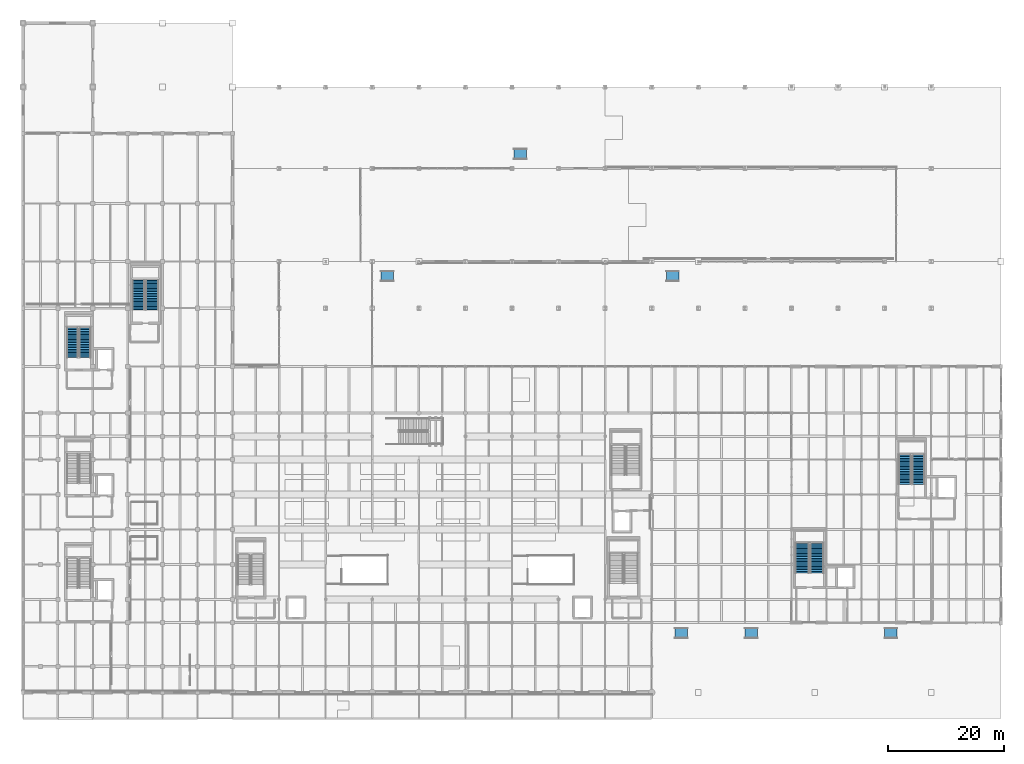
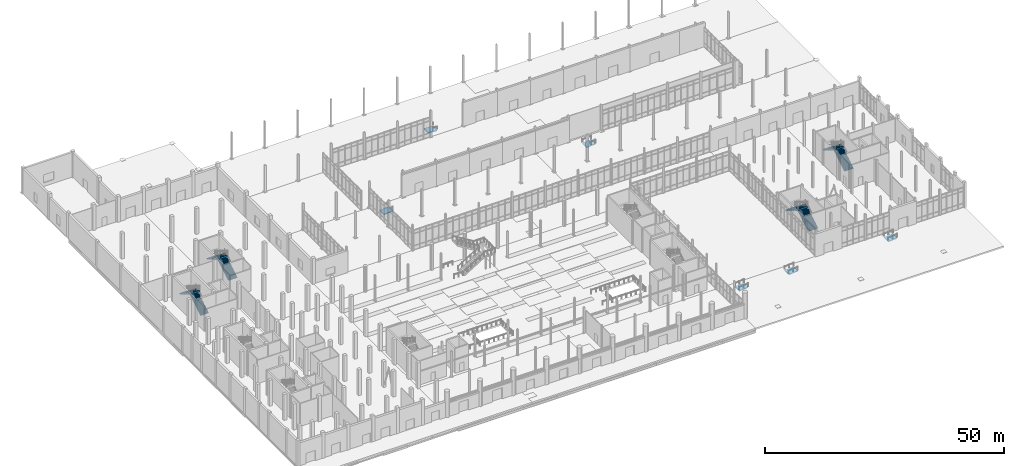
# One storey, part 128 of 140: 8 stair flights, 6 ramp flights, 10 elements without a shape of their own.
"""IFC4 building model written with IfcOpenShell, lengths in metres."""

from ifc_helpers import new_model, si_unit, direction, frame, origin, place, context, subcontext, project, spatial, polyline, outline, extrude, material, layer, layer_set, type_object, element, aggregate, save


model = new_model("IFC4")

# Units and contexts
model_context = context("Model", 3, precision=1e-05, world=origin(), true_north=direction((0.0, 1.0)))
body_context = subcontext(model_context, "Body", "Model", "MODEL_VIEW")
ifc_project = project(units=[si_unit("LENGTHUNIT", "METRE"), si_unit("AREAUNIT", "SQUARE_METRE"), si_unit("VOLUMEUNIT", "CUBIC_METRE"), si_unit("PLANEANGLEUNIT", "RADIAN"), si_unit("MASSUNIT", "GRAM", prefix="KILO")], contexts=[model_context])

# Site, building, storey
site_placement = place(None, origin())
site = spatial("IfcSite", under=ifc_project, at=site_placement, CompositionType="ELEMENT")
building_placement = place(site_placement, origin())
building = spatial("IfcBuilding", under=site, at=building_placement, Name="Verrall Gate Interchange", CompositionType="ELEMENT")
storey_placement = place(building_placement, origin())
storey = spatial("IfcBuildingStorey", under=building, at=storey_placement, Name="L01", CompositionType="ELEMENT", Elevation=0.0)

# Stair, stair flights
ifc_material_1 = material(Name="Concrete CSA A23.1 40 MPa (Class N)", Category="concrete")
stair_type_1 = type_object("IfcStairType", Name="ST-T03 Straight-Flight Return Exit Stair W1950 H6600", PredefinedType="STRAIGHT_RUN_STAIR", material=ifc_material_1)
stair_1_placement = place(storey_placement, origin())
stair_1 = element("IfcStair", 1, at=stair_1_placement, inside=storey, type_object=stair_type_1, Name="L01 ST-03", PredefinedType="STRAIGHT_RUN_STAIR")
ifc_material_2 = material(Name="Concrete CSA A23.1 40 MPa (Class N)", Category="concrete")
stair_flight_type_1 = type_object("IfcStairFlightType", Name="SF-T03 Concrete Stair Flight W1950 R174 N38", PredefinedType="STRAIGHT", material=ifc_material_2)
stair_flight_1_placement = place(storey_placement, frame((10.675048828125, 57.550048828125, 0.0), z_axis=(0.0, 0.0, 1.0), x_axis=(0.0, 1.0, 0.0)))
stair_flight_1 = element("IfcStairFlight", 2, at=stair_flight_1_placement, type_object=stair_flight_type_1, Name="ST-03 flight 1", NumberOfRisers=19, NumberOfTreads=18, PredefinedType="STRAIGHT", RiserHeight=0.173684211, TreadLength=0.28, context=body_context, shape_type="SweptSolid", body=[
    extrude(outline(polyline([(-0.034912109375, -0.02001953125), (-0.034912109375, 0.0), (0.0, 0.0), (0.0, 0.173583984375), (0.280029296875, 0.173583984375), (0.280029296875, 0.347412109375), (0.56005859375, 0.347412109375), (0.56005859375, 0.52099609375), (0.840087890625, 0.52099609375), (0.840087890625, 0.69482421875), (1.1201171875, 0.69482421875), (1.1201171875, 0.868408203125), (1.39990234375, 0.868408203125), (1.39990234375, 1.0419921875), (1.679931640625, 1.0419921875), (1.679931640625, 1.2158203125), (1.9599609375, 1.2158203125), (1.9599609375, 1.389404296875), (2.239990234375, 1.389404296875), (2.239990234375, 1.563232421875), (2.52001953125, 1.563232421875), (2.52001953125, 1.73681640625), (2.800048828125, 1.73681640625), (2.800048828125, 1.91064453125), (3.080078125, 1.91064453125), (3.080078125, 2.084228515625), (3.360107421875, 2.084228515625), (3.360107421875, 2.2578125), (3.639892578125, 2.2578125), (3.639892578125, 2.431640625), (3.919921875, 2.431640625), (3.919921875, 2.605224609375), (4.199951171875, 2.605224609375), (4.199951171875, 2.779052734375), (4.47998046875, 2.779052734375), (4.47998046875, 2.95263671875), (4.760009765625, 2.95263671875), (4.760009765625, 3.126220703125), (5.0400390625, 3.126220703125), (5.0400390625, 3.300048828125), (5.074951171875, 3.300048828125), (5.074951171875, 2.89111328125), (0.34716796875, -0.02001953125), (-0.034912109375, -0.02001953125)])), frame((0.0, 0.97509765625, 0.0), z_axis=(0.0, -1.0, 0.0), x_axis=(1.0, 0.0, 0.0)), (0.0, 0.0, 1.0), 1.949951171875),
])
stair_flight_2_placement = place(storey_placement, frame((8.52490234375, 62.590087890625, 3.300048828125), z_axis=(0.0, 0.0, 1.0), x_axis=(0.0, -1.0, 0.0)))
stair_flight_2 = element("IfcStairFlight", 3, at=stair_flight_2_placement, type_object=stair_flight_type_1, Name="ST-03 flight 2", NumberOfRisers=19, NumberOfTreads=18, PredefinedType="STRAIGHT", RiserHeight=0.173684211, TreadLength=0.28, context=body_context, shape_type="SweptSolid", body=[
    extrude(outline(polyline([(-0.034912109375, -0.02001953125), (-0.034912109375, 0.0), (0.0, 0.0), (0.0, 0.173583984375), (0.280029296875, 0.173583984375), (0.280029296875, 0.347412109375), (0.56005859375, 0.347412109375), (0.56005859375, 0.52099609375), (0.840087890625, 0.52099609375), (0.840087890625, 0.69482421875), (1.1201171875, 0.69482421875), (1.1201171875, 0.868408203125), (1.39990234375, 0.868408203125), (1.39990234375, 1.0419921875), (1.679931640625, 1.0419921875), (1.679931640625, 1.2158203125), (1.9599609375, 1.2158203125), (1.9599609375, 1.389404296875), (2.239990234375, 1.389404296875), (2.239990234375, 1.563232421875), (2.52001953125, 1.563232421875), (2.52001953125, 1.73681640625), (2.800048828125, 1.73681640625), (2.800048828125, 1.91064453125), (3.080078125, 1.91064453125), (3.080078125, 2.084228515625), (3.360107421875, 2.084228515625), (3.360107421875, 2.2578125), (3.639892578125, 2.2578125), (3.639892578125, 2.431640625), (3.919921875, 2.431640625), (3.919921875, 2.605224609375), (4.199951171875, 2.605224609375), (4.199951171875, 2.779052734375), (4.47998046875, 2.779052734375), (4.47998046875, 2.95263671875), (4.760009765625, 2.95263671875), (4.760009765625, 3.126220703125), (5.0400390625, 3.126220703125), (5.0400390625, 3.300048828125), (5.074951171875, 3.300048828125), (5.074951171875, 2.89111328125), (0.34716796875, -0.02001953125), (-0.034912109375, -0.02001953125)])), frame((0.0, 0.97509765625, 0.0), z_axis=(0.0, -1.0, 0.0), x_axis=(1.0, 0.0, 0.0)), (0.0, 0.0, 1.0), 1.949951171875),
])
aggregate(stair_1, [stair_flight_1, stair_flight_2])

ifc_material_3 = material(Name="Concrete CSA A23.1 40 MPa (Class N)", Category="concrete")
stair_type_2 = type_object("IfcStairType", Name="ST-T09 Straight-Flight Return Exit Stair W2150 H6600", PredefinedType="STRAIGHT_RUN_STAIR", material=ifc_material_3)
stair_2_placement = place(storey_placement, origin())
stair_2 = element("IfcStair", 4, at=stair_2_placement, inside=storey, type_object=stair_type_2, Name="L01 ST-04", PredefinedType="STRAIGHT_RUN_STAIR")
ifc_material_4 = material(Name="Concrete CSA A23.1 40 MPa (Class N)", Category="concrete")
stair_flight_type_2 = type_object("IfcStairFlightType", Name="SF-T09 Concrete Stair Flight W2150 R174 N38", PredefinedType="STRAIGHT", material=ifc_material_4)
stair_flight_3_placement = place(storey_placement, frame((22.22509765625, 65.75, 0.0), z_axis=(0.0, 0.0, 1.0), x_axis=(0.0, 1.0, 0.0)))
stair_flight_3 = element("IfcStairFlight", 5, at=stair_flight_3_placement, type_object=stair_flight_type_2, Name="ST-04 flight 1", NumberOfRisers=19, NumberOfTreads=18, PredefinedType="STRAIGHT", RiserHeight=0.173684211, TreadLength=0.28, context=body_context, shape_type="SweptSolid", body=[
    extrude(outline(polyline([(-0.034912109375, -0.02001953125), (-0.034912109375, 0.0), (0.0, 0.0), (0.0, 0.173583984375), (0.280029296875, 0.173583984375), (0.280029296875, 0.347412109375), (0.56005859375, 0.347412109375), (0.56005859375, 0.52099609375), (0.840087890625, 0.52099609375), (0.840087890625, 0.69482421875), (1.1201171875, 0.69482421875), (1.1201171875, 0.868408203125), (1.39990234375, 0.868408203125), (1.39990234375, 1.0419921875), (1.679931640625, 1.0419921875), (1.679931640625, 1.2158203125), (1.9599609375, 1.2158203125), (1.9599609375, 1.389404296875), (2.239990234375, 1.389404296875), (2.239990234375, 1.563232421875), (2.52001953125, 1.563232421875), (2.52001953125, 1.73681640625), (2.800048828125, 1.73681640625), (2.800048828125, 1.91064453125), (3.080078125, 1.91064453125), (3.080078125, 2.084228515625), (3.360107421875, 2.084228515625), (3.360107421875, 2.2578125), (3.639892578125, 2.2578125), (3.639892578125, 2.431640625), (3.919921875, 2.431640625), (3.919921875, 2.605224609375), (4.199951171875, 2.605224609375), (4.199951171875, 2.779052734375), (4.47998046875, 2.779052734375), (4.47998046875, 2.95263671875), (4.760009765625, 2.95263671875), (4.760009765625, 3.126220703125), (5.0400390625, 3.126220703125), (5.0400390625, 3.300048828125), (5.074951171875, 3.300048828125), (5.074951171875, 2.89111328125), (0.34716796875, -0.02001953125), (-0.034912109375, -0.02001953125)])), frame((0.0, 1.074951171875, 0.0), z_axis=(0.0, -1.0, 0.0), x_axis=(1.0, 0.0, 0.0)), (0.0, 0.0, 1.0), 2.14990234375),
])
stair_flight_4_placement = place(storey_placement, frame((19.875, 70.7900390625, 3.300048828125), z_axis=(0.0, 0.0, 1.0), x_axis=(0.0, -1.0, 0.0)))
stair_flight_4 = element("IfcStairFlight", 6, at=stair_flight_4_placement, type_object=stair_flight_type_2, Name="ST-04 flight 2", NumberOfRisers=19, NumberOfTreads=18, PredefinedType="STRAIGHT", RiserHeight=0.173684211, TreadLength=0.28, context=body_context, shape_type="SweptSolid", body=[
    extrude(outline(polyline([(-0.034912109375, -0.02001953125), (-0.034912109375, 0.0), (0.0, 0.0), (0.0, 0.173583984375), (0.280029296875, 0.173583984375), (0.280029296875, 0.347412109375), (0.56005859375, 0.347412109375), (0.56005859375, 0.52099609375), (0.840087890625, 0.52099609375), (0.840087890625, 0.69482421875), (1.1201171875, 0.69482421875), (1.1201171875, 0.868408203125), (1.39990234375, 0.868408203125), (1.39990234375, 1.0419921875), (1.679931640625, 1.0419921875), (1.679931640625, 1.2158203125), (1.9599609375, 1.2158203125), (1.9599609375, 1.389404296875), (2.239990234375, 1.389404296875), (2.239990234375, 1.563232421875), (2.52001953125, 1.563232421875), (2.52001953125, 1.73681640625), (2.800048828125, 1.73681640625), (2.800048828125, 1.91064453125), (3.080078125, 1.91064453125), (3.080078125, 2.084228515625), (3.360107421875, 2.084228515625), (3.360107421875, 2.2578125), (3.639892578125, 2.2578125), (3.639892578125, 2.431640625), (3.919921875, 2.431640625), (3.919921875, 2.605224609375), (4.199951171875, 2.605224609375), (4.199951171875, 2.779052734375), (4.47998046875, 2.779052734375), (4.47998046875, 2.95263671875), (4.760009765625, 2.95263671875), (4.760009765625, 3.126220703125), (5.0400390625, 3.126220703125), (5.0400390625, 3.300048828125), (5.074951171875, 3.300048828125), (5.074951171875, 2.89111328125), (0.34716796875, -0.02001953125), (-0.034912109375, -0.02001953125)])), frame((0.0, 1.074951171875, 0.0), z_axis=(0.0, -1.0, 0.0), x_axis=(1.0, 0.0, 0.0)), (0.0, 0.0, 1.0), 2.14990234375),
])
aggregate(stair_2, [stair_flight_3, stair_flight_4])

stair_3_placement = place(storey_placement, origin())
stair_3 = element("IfcStair", 7, at=stair_3_placement, inside=storey, type_object=stair_type_2, Name="L01 ST-09", PredefinedType="STRAIGHT_RUN_STAIR")
stair_flight_5_placement = place(storey_placement, frame((153.824951171875, 35.75, 0.0), z_axis=(0.0, 0.0, 1.0), x_axis=(0.0, 1.0, 0.0)))
stair_flight_5 = element("IfcStairFlight", 8, at=stair_flight_5_placement, type_object=stair_flight_type_2, Name="ST-09 flight 1", NumberOfRisers=19, NumberOfTreads=18, PredefinedType="STRAIGHT", RiserHeight=0.173684211, TreadLength=0.28, context=body_context, shape_type="SweptSolid", body=[
    extrude(outline(polyline([(-0.034912109375, -0.02001953125), (-0.034912109375, 0.0), (0.0, 0.0), (0.0, 0.173583984375), (0.280029296875, 0.173583984375), (0.280029296875, 0.347412109375), (0.56005859375, 0.347412109375), (0.56005859375, 0.52099609375), (0.840087890625, 0.52099609375), (0.840087890625, 0.69482421875), (1.1201171875, 0.69482421875), (1.1201171875, 0.868408203125), (1.39990234375, 0.868408203125), (1.39990234375, 1.0419921875), (1.679931640625, 1.0419921875), (1.679931640625, 1.2158203125), (1.9599609375, 1.2158203125), (1.9599609375, 1.389404296875), (2.239990234375, 1.389404296875), (2.239990234375, 1.563232421875), (2.52001953125, 1.563232421875), (2.52001953125, 1.73681640625), (2.800048828125, 1.73681640625), (2.800048828125, 1.91064453125), (3.080078125, 1.91064453125), (3.080078125, 2.084228515625), (3.360107421875, 2.084228515625), (3.360107421875, 2.2578125), (3.639892578125, 2.2578125), (3.639892578125, 2.431640625), (3.919921875, 2.431640625), (3.919921875, 2.605224609375), (4.199951171875, 2.605224609375), (4.199951171875, 2.779052734375), (4.47998046875, 2.779052734375), (4.47998046875, 2.95263671875), (4.760009765625, 2.95263671875), (4.760009765625, 3.126220703125), (5.0400390625, 3.126220703125), (5.0400390625, 3.300048828125), (5.074951171875, 3.300048828125), (5.074951171875, 2.89111328125), (0.34716796875, -0.02001953125), (-0.034912109375, -0.02001953125)])), frame((0.0, 1.074951171875, 0.0), z_axis=(0.0, -1.0, 0.0), x_axis=(1.0, 0.0, 0.0)), (0.0, 0.0, 1.0), 2.14990234375),
])
stair_flight_6_placement = place(storey_placement, frame((151.47509765625, 40.7900390625, 3.300048828125), z_axis=(0.0, 0.0, 1.0), x_axis=(0.0, -1.0, 0.0)))
stair_flight_6 = element("IfcStairFlight", 9, at=stair_flight_6_placement, type_object=stair_flight_type_2, Name="ST-09 flight 2", NumberOfRisers=19, NumberOfTreads=18, PredefinedType="STRAIGHT", RiserHeight=0.173684211, TreadLength=0.28, context=body_context, shape_type="SweptSolid", body=[
    extrude(outline(polyline([(-0.034912109375, -0.02001953125), (-0.034912109375, 0.0), (0.0, 0.0), (0.0, 0.173583984375), (0.280029296875, 0.173583984375), (0.280029296875, 0.347412109375), (0.56005859375, 0.347412109375), (0.56005859375, 0.52099609375), (0.840087890625, 0.52099609375), (0.840087890625, 0.69482421875), (1.1201171875, 0.69482421875), (1.1201171875, 0.868408203125), (1.39990234375, 0.868408203125), (1.39990234375, 1.0419921875), (1.679931640625, 1.0419921875), (1.679931640625, 1.2158203125), (1.9599609375, 1.2158203125), (1.9599609375, 1.389404296875), (2.239990234375, 1.389404296875), (2.239990234375, 1.563232421875), (2.52001953125, 1.563232421875), (2.52001953125, 1.73681640625), (2.800048828125, 1.73681640625), (2.800048828125, 1.91064453125), (3.080078125, 1.91064453125), (3.080078125, 2.084228515625), (3.360107421875, 2.084228515625), (3.360107421875, 2.2578125), (3.639892578125, 2.2578125), (3.639892578125, 2.431640625), (3.919921875, 2.431640625), (3.919921875, 2.605224609375), (4.199951171875, 2.605224609375), (4.199951171875, 2.779052734375), (4.47998046875, 2.779052734375), (4.47998046875, 2.95263671875), (4.760009765625, 2.95263671875), (4.760009765625, 3.126220703125), (5.0400390625, 3.126220703125), (5.0400390625, 3.300048828125), (5.074951171875, 3.300048828125), (5.074951171875, 2.89111328125), (0.34716796875, -0.02001953125), (-0.034912109375, -0.02001953125)])), frame((0.0, 1.074951171875, 0.0), z_axis=(0.0, -1.0, 0.0), x_axis=(1.0, 0.0, 0.0)), (0.0, 0.0, 1.0), 2.14990234375),
])
aggregate(stair_3, [stair_flight_5, stair_flight_6])

ifc_material_5 = material(Name="Concrete CSA A23.1 40 MPa (Class N)", Category="concrete")
stair_type_3 = type_object("IfcStairType", Name="ST-T16 Straight-Flight Return Exit Stair W2330 H6600", PredefinedType="STRAIGHT_RUN_STAIR", material=ifc_material_5)
stair_4_placement = place(storey_placement, origin())
stair_4 = element("IfcStair", 10, at=stair_4_placement, inside=storey, type_object=stair_type_3, Name="L01 ST-08", PredefinedType="STRAIGHT_RUN_STAIR")
ifc_material_6 = material(Name="Concrete CSA A23.1 40 MPa (Class N)", Category="concrete")
stair_flight_type_3 = type_object("IfcStairFlightType", Name="SF-T16 Concrete Stair Flight W2330 R174 N38", PredefinedType="STRAIGHT", material=ifc_material_6)
stair_flight_7_placement = place(storey_placement, frame((136.375, 20.530029296875, 0.0), z_axis=(0.0, 0.0, 1.0), x_axis=(0.0, 1.0, 0.0)))
stair_flight_7 = element("IfcStairFlight", 11, at=stair_flight_7_placement, type_object=stair_flight_type_3, Name="ST-08 flight 1", NumberOfRisers=19, NumberOfTreads=18, PredefinedType="STRAIGHT", RiserHeight=0.173684211, TreadLength=0.28, context=body_context, shape_type="SweptSolid", body=[
    extrude(outline(polyline([(-0.034912109375, -0.02001953125), (-0.034912109375, 0.0), (0.0, 0.0), (0.0, 0.173583984375), (0.280029296875, 0.173583984375), (0.280029296875, 0.347412109375), (0.56005859375, 0.347412109375), (0.56005859375, 0.52099609375), (0.840087890625, 0.52099609375), (0.840087890625, 0.69482421875), (1.1201171875, 0.69482421875), (1.1201171875, 0.868408203125), (1.39990234375, 0.868408203125), (1.39990234375, 1.0419921875), (1.679931640625, 1.0419921875), (1.679931640625, 1.2158203125), (1.9599609375, 1.2158203125), (1.9599609375, 1.389404296875), (2.239990234375, 1.389404296875), (2.239990234375, 1.563232421875), (2.52001953125, 1.563232421875), (2.52001953125, 1.73681640625), (2.800048828125, 1.73681640625), (2.800048828125, 1.91064453125), (3.080078125, 1.91064453125), (3.080078125, 2.084228515625), (3.360107421875, 2.084228515625), (3.360107421875, 2.2578125), (3.639892578125, 2.2578125), (3.639892578125, 2.431640625), (3.919921875, 2.431640625), (3.919921875, 2.605224609375), (4.199951171875, 2.605224609375), (4.199951171875, 2.779052734375), (4.47998046875, 2.779052734375), (4.47998046875, 2.95263671875), (4.760009765625, 2.95263671875), (4.760009765625, 3.126220703125), (5.0400390625, 3.126220703125), (5.0400390625, 3.300048828125), (5.074951171875, 3.300048828125), (5.074951171875, 2.89111328125), (0.34716796875, -0.02001953125), (-0.034912109375, -0.02001953125)])), frame((0.0, 1.1650390625, 0.0), z_axis=(0.0, -1.0, 0.0), x_axis=(1.0, 0.0, 0.0)), (0.0, 0.0, 1.0), 2.330078125),
])
stair_flight_8_placement = place(storey_placement, frame((133.844970703125, 25.570068359375, 3.300048828125), z_axis=(0.0, 0.0, 1.0), x_axis=(0.0, -1.0, 0.0)))
stair_flight_8 = element("IfcStairFlight", 12, at=stair_flight_8_placement, type_object=stair_flight_type_3, Name="ST-08 flight 2", NumberOfRisers=19, NumberOfTreads=18, PredefinedType="STRAIGHT", RiserHeight=0.173684211, TreadLength=0.28, context=body_context, shape_type="SweptSolid", body=[
    extrude(outline(polyline([(-0.034912109375, -0.02001953125), (-0.034912109375, 0.0), (0.0, 0.0), (0.0, 0.173583984375), (0.280029296875, 0.173583984375), (0.280029296875, 0.347412109375), (0.56005859375, 0.347412109375), (0.56005859375, 0.52099609375), (0.840087890625, 0.52099609375), (0.840087890625, 0.69482421875), (1.1201171875, 0.69482421875), (1.1201171875, 0.868408203125), (1.39990234375, 0.868408203125), (1.39990234375, 1.0419921875), (1.679931640625, 1.0419921875), (1.679931640625, 1.2158203125), (1.9599609375, 1.2158203125), (1.9599609375, 1.389404296875), (2.239990234375, 1.389404296875), (2.239990234375, 1.563232421875), (2.52001953125, 1.563232421875), (2.52001953125, 1.73681640625), (2.800048828125, 1.73681640625), (2.800048828125, 1.91064453125), (3.080078125, 1.91064453125), (3.080078125, 2.084228515625), (3.360107421875, 2.084228515625), (3.360107421875, 2.2578125), (3.639892578125, 2.2578125), (3.639892578125, 2.431640625), (3.919921875, 2.431640625), (3.919921875, 2.605224609375), (4.199951171875, 2.605224609375), (4.199951171875, 2.779052734375), (4.47998046875, 2.779052734375), (4.47998046875, 2.95263671875), (4.760009765625, 2.95263671875), (4.760009765625, 3.126220703125), (5.0400390625, 3.126220703125), (5.0400390625, 3.300048828125), (5.074951171875, 3.300048828125), (5.074951171875, 2.89111328125), (0.34716796875, -0.02001953125), (-0.034912109375, -0.02001953125)])), frame((0.0, 1.1650390625, 0.0), z_axis=(0.0, -1.0, 0.0), x_axis=(1.0, 0.0, 0.0)), (0.0, 0.0, 1.0), 2.330078125),
])
aggregate(stair_4, [stair_flight_7, stair_flight_8])

# Ramp, ramp flight
ifc_material_7 = material(Name="Concrete CSA A23.1 40 MPa (Class N)", Category="concrete")
ramp_type = type_object("IfcRampType", Name="RMP-01 Barrier-Free Straight-Run Ramp 1800", PredefinedType="STRAIGHT_RUN_RAMP", material=ifc_material_7)
ramp_1_placement = place(storey_placement, origin())
ramp_1 = element("IfcRamp", 13, at=ramp_1_placement, inside=storey, type_object=ramp_type, Name="SE Forecourt West Barrier-Free Ramp", PredefinedType="STRAIGHT_RUN_RAMP")
ifc_material_8 = material(Name="Concrete CSA A23.1 40 MPa (Class N)", Category="concrete")
ifc_layer = layer(ifc_material_8, 0.199951171875)
ifc_layer_set = layer_set([ifc_layer], Name="Concrete CSA A23.1 40 MPa (Class N)")
ramp_flight_type = type_object("IfcRampFlightType", Name="RFL-01 Barrier-Free Ramp Flight 1800", PredefinedType="STRAIGHT", material=ifc_layer_set)
ramp_flight_1_placement = place(storey_placement, frame((112.0, 10.199951171875, -0.179931640625), z_axis=(0.0, 0.0, 1.0), x_axis=(1.0, 0.0, 0.0)))
ramp_flight_1 = element("IfcRampFlight", 14, at=ramp_flight_1_placement, type_object=ramp_flight_type, Name="SE Forecourt West Barrier-Free Ramp Flight", PredefinedType="STRAIGHT", context=body_context, shape_type="SweptSolid", body=[
    extrude(outline(polyline([(0.0, -0.199951171875), (0.0, 0.0), (2.159912109375, 0.179931640625), (2.159912109375, -0.02001953125), (0.0, -0.199951171875)])), frame((0.0, 0.89990234375, 0.0), z_axis=(0.0, -1.0, 0.0), x_axis=(1.0, 0.0, 0.0)), (0.0, 0.0, 1.0), 1.800048828125),
])
aggregate(ramp_1, [ramp_flight_1])

ramp_2_placement = place(storey_placement, origin())
ramp_2 = element("IfcRamp", 15, at=ramp_2_placement, inside=storey, type_object=ramp_type, Name="SE Forecourt Mid Barrier-Free Ramp", PredefinedType="STRAIGHT_RUN_RAMP")
ramp_flight_2_placement = place(storey_placement, frame((124.0, 10.199951171875, -0.179931640625), z_axis=(0.0, 0.0, 1.0), x_axis=(1.0, 0.0, 0.0)))
ramp_flight_2 = element("IfcRampFlight", 16, at=ramp_flight_2_placement, type_object=ramp_flight_type, Name="SE Forecourt Mid Barrier-Free Ramp Flight", PredefinedType="STRAIGHT", context=body_context, shape_type="SweptSolid", body=[
    extrude(outline(polyline([(0.0, -0.199951171875), (0.0, 0.0), (2.159912109375, 0.179931640625), (2.159912109375, -0.02001953125), (0.0, -0.199951171875)])), frame((0.0, 0.89990234375, 0.0), z_axis=(0.0, -1.0, 0.0), x_axis=(1.0, 0.0, 0.0)), (0.0, 0.0, 1.0), 1.800048828125),
])
aggregate(ramp_2, [ramp_flight_2])

ramp_3_placement = place(storey_placement, origin())
ramp_3 = element("IfcRamp", 17, at=ramp_3_placement, inside=storey, type_object=ramp_type, Name="SE Forecourt Van-Aisle Barrier-Free Ramp", PredefinedType="STRAIGHT_RUN_RAMP")
ramp_flight_3_placement = place(storey_placement, frame((148.0, 10.199951171875, -0.179931640625), z_axis=(0.0, 0.0, 1.0), x_axis=(1.0, 0.0, 0.0)))
ramp_flight_3 = element("IfcRampFlight", 18, at=ramp_flight_3_placement, type_object=ramp_flight_type, Name="SE Forecourt Van-Aisle Barrier-Free Ramp Flight", PredefinedType="STRAIGHT", context=body_context, shape_type="SweptSolid", body=[
    extrude(outline(polyline([(0.0, -0.199951171875), (0.0, 0.0), (2.159912109375, 0.179931640625), (2.159912109375, -0.02001953125), (0.0, -0.199951171875)])), frame((0.0, 0.89990234375, 0.0), z_axis=(0.0, -1.0, 0.0), x_axis=(1.0, 0.0, 0.0)), (0.0, 0.0, 1.0), 1.800048828125),
])
aggregate(ramp_3, [ramp_flight_3])

ramp_4_placement = place(storey_placement, origin())
ramp_4 = element("IfcRamp", 19, at=ramp_4_placement, inside=storey, type_object=ramp_type, Name="South Bus Apron Boarding Ramp West", PredefinedType="STRAIGHT_RUN_RAMP")
ramp_flight_4_placement = place(storey_placement, frame((61.5, 71.5, -0.179931640625), z_axis=(0.0, 0.0, 1.0), x_axis=(1.0, 0.0, 0.0)))
ramp_flight_4 = element("IfcRampFlight", 20, at=ramp_flight_4_placement, type_object=ramp_flight_type, Name="South Bus Apron Boarding Ramp West Flight", PredefinedType="STRAIGHT", context=body_context, shape_type="SweptSolid", body=[
    extrude(outline(polyline([(0.0, -0.199951171875), (0.0, 0.0), (2.159912109375, 0.179931640625), (2.159912109375, -0.02001953125), (0.0, -0.199951171875)])), frame((0.0, 0.89990234375, 0.0), z_axis=(0.0, -1.0, 0.0), x_axis=(1.0, 0.0, 0.0)), (0.0, 0.0, 1.0), 1.800048828125),
])
aggregate(ramp_4, [ramp_flight_4])

ramp_5_placement = place(storey_placement, origin())
ramp_5 = element("IfcRamp", 21, at=ramp_5_placement, inside=storey, type_object=ramp_type, Name="South Bus Apron Boarding Ramp East", PredefinedType="STRAIGHT_RUN_RAMP")
ramp_flight_5_placement = place(storey_placement, frame((110.5, 71.5, -0.179931640625), z_axis=(0.0, 0.0, 1.0), x_axis=(1.0, 0.0, 0.0)))
ramp_flight_5 = element("IfcRampFlight", 22, at=ramp_flight_5_placement, type_object=ramp_flight_type, Name="South Bus Apron Boarding Ramp East Flight", PredefinedType="STRAIGHT", context=body_context, shape_type="SweptSolid", body=[
    extrude(outline(polyline([(0.0, -0.199951171875), (0.0, 0.0), (2.159912109375, 0.179931640625), (2.159912109375, -0.02001953125), (0.0, -0.199951171875)])), frame((0.0, 0.89990234375, 0.0), z_axis=(0.0, -1.0, 0.0), x_axis=(1.0, 0.0, 0.0)), (0.0, 0.0, 1.0), 1.800048828125),
])
aggregate(ramp_5, [ramp_flight_5])

ramp_6_placement = place(storey_placement, origin())
ramp_6 = element("IfcRamp", 23, at=ramp_6_placement, inside=storey, type_object=ramp_type, Name="North Bus Apron Boarding Ramp Central", PredefinedType="STRAIGHT_RUN_RAMP")
ramp_flight_6_placement = place(storey_placement, frame((86.5, 92.5, -0.179931640625), z_axis=(0.0, 0.0, 1.0), x_axis=(-1.0, 0.0, 0.0)))
ramp_flight_6 = element("IfcRampFlight", 24, at=ramp_flight_6_placement, type_object=ramp_flight_type, Name="North Bus Apron Boarding Ramp Central Flight", PredefinedType="STRAIGHT", context=body_context, shape_type="SweptSolid", body=[
    extrude(outline(polyline([(0.0, -0.199951171875), (0.0, 0.0), (2.159912109375, 0.179931640625), (2.159912109375, -0.02001953125), (0.0, -0.199951171875)])), frame((0.0, 0.89990234375, 0.0), z_axis=(0.0, -1.0, 0.0), x_axis=(1.0, 0.0, 0.0)), (0.0, 0.0, 1.0), 1.800048828125),
])
aggregate(ramp_6, [ramp_flight_6])

save(model, "model.ifc")
